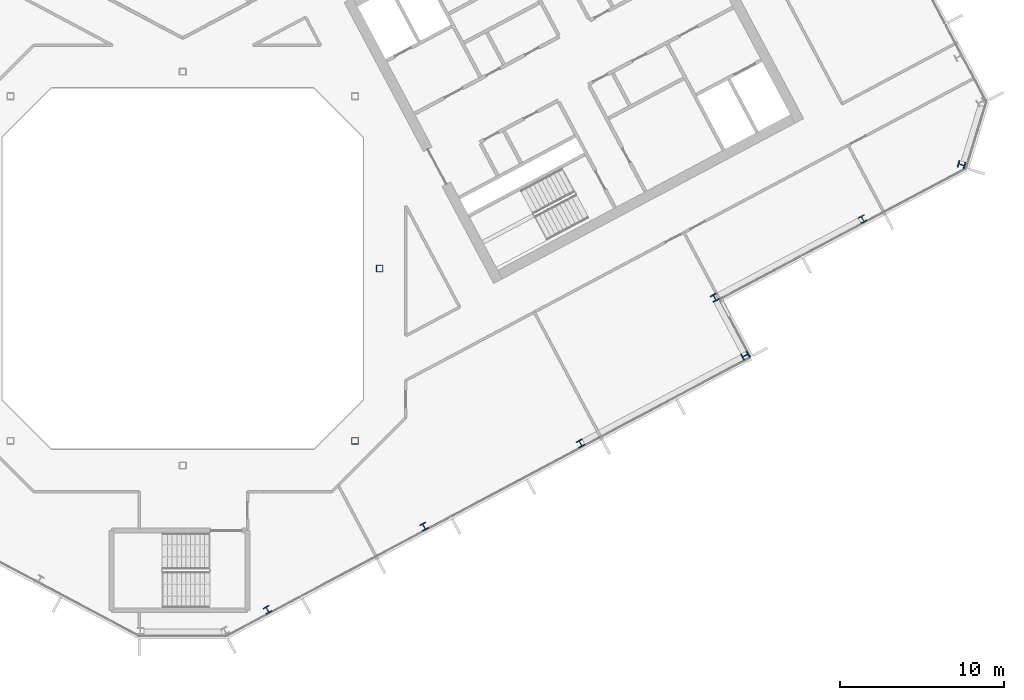
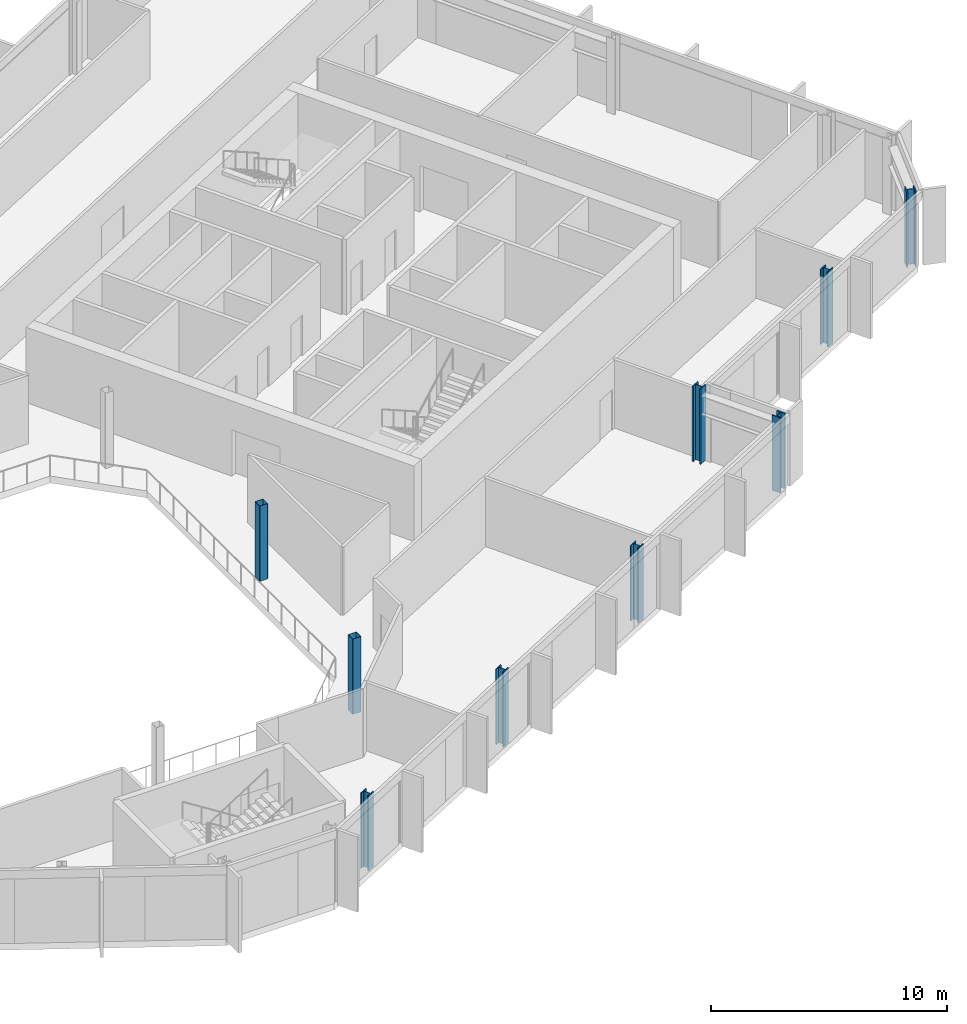
# One storey, part 5 of 26: 9 columns.
"""IFC4 building model written with IfcOpenShell, lengths in metres."""

import ifcopenshell
import ifcopenshell.guid

model = None  # the IFC model being written
_history = None  # IfcOwnerHistory: only IFC2X3 demands one
_inside = {}  # id of a spatial element -> (the spatial element, [elements in it])
_under = {}  # id of a project, library or spatial element -> (it, [spatial elements below it])
_declared = {}  # id of a project -> (the project, [libraries it declares])
_typed = {}  # id of a type object -> (the type object, [elements of that type])
_made_of = {}  # id of a material, layer set ... -> (it, [elements and type objects made of it])


def new_model(schema):
    """Start an empty IFC model of exactly this schema.

    Asked for "IFC4X3", IfcOpenShell would pick the latest addendum, in which some entities
    have other attributes; the version numbers below select the first issue.
    IFC2X3 requires an IfcOwnerHistory on every rooted entity: one is made here for all.
    """
    global model, _history
    if schema == "IFC4X3":
        model = ifcopenshell.file(schema_version=(4, 3, 0, 0))
    else:
        model = ifcopenshell.file(schema=schema)
    _inside.clear()
    _under.clear()
    _declared.clear()
    _typed.clear()
    _made_of.clear()
    _history = None
    if model.schema == "IFC2X3":
        org = make("IfcOrganization", Name="unknown")
        user = make(
            "IfcPersonAndOrganization",
            ThePerson=make("IfcPerson", FamilyName="unknown"),
            TheOrganization=org,
        )
        app = make(
            "IfcApplication",
            ApplicationDeveloper=org,
            Version="unknown",
            ApplicationFullName="unknown",
            ApplicationIdentifier="unknown",
        )
        _history = make(
            "IfcOwnerHistory",
            OwningUser=user,
            OwningApplication=app,
            ChangeAction="ADDED",
            CreationDate=0,
        )
    return model


def make(cls, **values):
    """One entity of the class cls with the attributes given. An attribute that is None is left unset."""
    return model.create_entity(
        cls, **{name: value for name, value in values.items() if value is not None}
    )


def rooted(cls, **values):
    """An entity with a GlobalId (a new one), such as an element, a storey or a relation."""
    return make(cls, GlobalId=ifcopenshell.guid.new(), OwnerHistory=_history, **values)


def si_unit(unit_type, name, prefix=None):
    """IfcSIUnit, for example si_unit("LENGTHUNIT", "METRE", prefix="MILLI")."""
    return make("IfcSIUnit", UnitType=unit_type, Prefix=prefix, Name=name)


def assignment(units):
    """IfcUnitAssignment: the units of a project."""
    return None if units is None else make("IfcUnitAssignment", Units=units)


def point(xyz):
    """IfcCartesianPoint."""
    return None if xyz is None else make("IfcCartesianPoint", Coordinates=xyz)


def direction(xyz):
    """IfcDirection."""
    return None if xyz is None else make("IfcDirection", DirectionRatios=xyz)


def frame(location, z_axis=None, x_axis=None):
    """IfcAxis2Placement3D, a coordinate frame: its origin and axes. An axis left out is left unset."""
    return make(
        "IfcAxis2Placement3D",
        Location=point(location),
        Axis=direction(z_axis),
        RefDirection=direction(x_axis),
    )


def frame_2d(location, x_axis=None):
    """IfcAxis2Placement2D, a coordinate frame in the plane: its origin and x axis."""
    return make(
        "IfcAxis2Placement2D", Location=point(location), RefDirection=direction(x_axis)
    )


def origin():
    """The frame at (0, 0, 0) with its axes left unset."""
    return frame((0.0, 0.0, 0.0))


def origin_2d():
    """The frame at (0, 0) in the plane with its x axis left unset."""
    return frame_2d((0.0, 0.0))


def place(relative_to, where):
    """IfcLocalPlacement: puts the frame where relative to a parent placement (None: the world)."""
    return make(
        "IfcLocalPlacement", PlacementRelTo=relative_to, RelativePlacement=where
    )


def context(
    kind, dimensions, precision=None, world=None, true_north=None, identifier=None
):
    """IfcGeometricRepresentationContext, for example the 3D "Model" context."""
    return make(
        "IfcGeometricRepresentationContext",
        ContextIdentifier=identifier,
        ContextType=kind,
        CoordinateSpaceDimension=dimensions,
        Precision=precision,
        WorldCoordinateSystem=world,
        TrueNorth=true_north,
    )


def subcontext(parent, identifier, kind, view, scale=None):
    """IfcGeometricRepresentationSubContext, for example "Body" below "Model"."""
    return make(
        "IfcGeometricRepresentationSubContext",
        ContextIdentifier=identifier,
        ContextType=kind,
        ParentContext=parent,
        TargetScale=scale,
        TargetView=view,
    )


def project(units=None, contexts=None):
    """IfcProject with its units and contexts."""
    return rooted(
        "IfcProject",
        Name="project",
        RepresentationContexts=contexts,
        UnitsInContext=assignment(units),
    )


def spatial(cls, under=None, at=None, **own):
    """A site, building, storey or space (cls), placed at a placement, below another one or the project."""
    s = rooted(cls, ObjectPlacement=at, **own)
    if under is not None:
        _under.setdefault(under.id(), (under, []))[1].append(s)
    return s


def profile(cls, at=None, kind="AREA", **sizes):
    """A parametric profile (cls). Its sizes go by their IFC names, for example OverallWidth=200.0."""
    return make(cls, ProfileType=kind, Position=at, **sizes)


def hollow_rectangle(**sizes):
    """IfcRectangleHollowProfileDef."""
    return profile("IfcRectangleHollowProfileDef", **sizes)


def i_section(**sizes):
    """IfcIShapeProfileDef."""
    return profile("IfcIShapeProfileDef", **sizes)


def extrude(swept, where, along, depth):
    """IfcExtrudedAreaSolid: the profile swept, set in the frame where, extruded along a direction by depth."""
    return make(
        "IfcExtrudedAreaSolid",
        SweptArea=swept,
        Position=where,
        ExtrudedDirection=direction(along),
        Depth=depth,
    )


def shape(context_of_items, identifier, shape_type, items):
    """IfcShapeRepresentation: the items that make up one representation, for example the "Body"."""
    return make(
        "IfcShapeRepresentation",
        ContextOfItems=context_of_items,
        RepresentationIdentifier=identifier,
        RepresentationType=shape_type,
        Items=items,
    )


def material(Name=None, Category=None):
    """IfcMaterial."""
    return make("IfcMaterial", Name=Name, Category=Category)


def material_profile(
    of_material, cross_section, Name=None, Category=None, Priority=None
):
    """IfcMaterialProfile: a cross section and its material."""
    return make(
        "IfcMaterialProfile",
        Name=Name,
        Material=of_material,
        Profile=cross_section,
        Priority=Priority,
        Category=Category,
    )


def profile_set(profiles, Name=None, composite=None):
    """IfcMaterialProfileSet."""
    return make(
        "IfcMaterialProfileSet",
        Name=Name,
        MaterialProfiles=profiles,
        CompositeProfile=composite,
    )


def made_of(thing, what):
    """Note that an element or type object is made of a material, layer set ...; save() writes the relation."""
    if what is not None:
        _made_of.setdefault(what.id(), (what, []))[1].append(thing)
    return thing


def type_object(cls, material=None, **own):
    """A type object (cls), such as IfcWallType, which elements share."""
    return made_of(rooted(cls, **own), material)


def element(
    cls,
    number,
    at=None,
    inside=None,
    cuts=None,
    type_object=None,
    material=None,
    context=None,
    identifier="Body",
    shape_type=None,
    held_by="IfcProductDefinitionShape",
    body=None,
    shapes=None,
    **own,
):
    """One element of the class cls, such as IfcWall. Its Tag is "e" and its number.

    at: its placement. inside: the storey or other place that contains it. cuts: it is an
    opening in that element (IfcRelVoidsElement). A single representation is given by context,
    identifier, shape_type and body (its items); several are given by shapes. held_by: the class
    of the entity that holds the representations. save() writes the other relations.
    """
    e = rooted(cls, Tag="e%d" % number, ObjectPlacement=at, **own)
    if body is not None:
        shapes = [shape(context, identifier, shape_type, body)]
    if shapes is not None:
        e.Representation = make(held_by, Representations=shapes)
    if inside is not None:
        _inside.setdefault(inside.id(), (inside, []))[1].append(e)
    if cuts is not None:
        rooted(
            "IfcRelVoidsElement", RelatingBuildingElement=cuts, RelatedOpeningElement=e
        )
    if type_object is not None:
        _typed.setdefault(type_object.id(), (type_object, []))[1].append(e)
    return made_of(e, material)


def aggregate(whole, parts):
    """IfcRelAggregates: a whole, such as a stair, and the parts it consists of."""
    return rooted("IfcRelAggregates", RelatingObject=whole, RelatedObjects=parts)


def save(model, path):
    """Write the relations noted so far, then the file.

    IfcRelAggregates (storeys below a building ...), IfcRelContainedInSpatialStructure (elements
    in a storey), IfcRelDefinesByType, IfcRelAssociatesMaterial and IfcRelDeclares: one each for
    every whole, place, type object, material and project.
    """
    for whole, parts in _under.values():
        aggregate(whole, parts)
    for where, things in _inside.values():
        rooted(
            "IfcRelContainedInSpatialStructure",
            RelatedElements=things,
            RelatingStructure=where,
        )
    for kind, things in _typed.values():
        rooted("IfcRelDefinesByType", RelatedObjects=things, RelatingType=kind)
    for what, things in _made_of.values():
        rooted("IfcRelAssociatesMaterial", RelatedObjects=things, RelatingMaterial=what)
    for by, libraries in _declared.values():
        rooted("IfcRelDeclares", RelatingContext=by, RelatedDefinitions=libraries)
    model.write(path)


model = new_model("IFC4")

# Units and contexts
model_context = context("Model", 3, precision=1e-05, world=origin(), true_north=direction((0.0, 1.0)))
body_context = subcontext(model_context, "Body", "Model", "MODEL_VIEW")
ifc_project = project(units=[si_unit("LENGTHUNIT", "METRE"), si_unit("AREAUNIT", "SQUARE_METRE"), si_unit("VOLUMEUNIT", "CUBIC_METRE"), si_unit("PLANEANGLEUNIT", "RADIAN"), si_unit("MASSUNIT", "GRAM", prefix="KILO")], contexts=[model_context])

# Site, building, storey
site_placement = place(None, origin())
site = spatial("IfcSite", under=ifc_project, at=site_placement, CompositionType="ELEMENT")
building_placement = place(site_placement, origin())
building = spatial("IfcBuilding", under=site, at=building_placement, Name="Cormorant Relay Tower", CompositionType="ELEMENT")
storey_placement = place(building_placement, frame((0.0, 0.0, 244.199951171875)))
storey = spatial("IfcBuildingStorey", under=building, at=storey_placement, Name="L54", CompositionType="ELEMENT", Elevation=244.199951171875)

# Columns
ifc_material_1 = material(Name="Steel ASTM A500 Grade C (Fy 345 MPa)", Category="steel")
ifc_material_profile_1 = material_profile(ifc_material_1, hollow_rectangle(XDim=0.406494140625, YDim=0.406494140625, WallThickness=0.0146484375, InnerFilletRadius=0.00732421875, OuterFilletRadius=0.022216796875, at=origin_2d()), Name="HSS406x406x15")
ifc_profile_set_1 = profile_set([ifc_material_profile_1], Name="Steel ASTM A500 Grade C (Fy 345 MPa)")
column_type_1 = type_object("IfcColumnType", Name="Column HSS406x406x15", PredefinedType="COLUMN", material=ifc_profile_set_1)
for number, where, z_axis, x_axis, name in (
    (1, (10.5, -10.5, 0.0), (0.0, 0.0, 1.0), (1.0, 0.0, 0.0), "Column L54-010"),
    (2, (12.0, 0.0, 0.0), (0.0, 0.0, 1.0), (1.0, 0.0, 0.0), "Column L54-016"),
):
    element("IfcColumn", number, at=place(storey_placement, frame(where, z_axis=z_axis, x_axis=x_axis)), inside=storey, type_object=column_type_1, Name=name, PredefinedType="COLUMN", context=body_context, shape_type="SweptSolid", body=[
        extrude(hollow_rectangle(XDim=0.406494140625, YDim=0.406494140625, WallThickness=0.0146484375, InnerFilletRadius=0.00732421875, OuterFilletRadius=0.022216796875, at=origin_2d()), origin(), (0.0, 0.0, 1.0), 3.900146484375),
    ])
ifc_material_2 = material(Name="Steel ASTM A992 (Fy 345 MPa)", Category="steel")
ifc_material_profile_2 = material_profile(ifc_material_2, i_section(OverallWidth=0.40380859375, OverallDepth=0.406494140625, WebThickness=0.027099609375, FlangeThickness=0.043701171875, FilletRadius=0.01513671875, at=origin_2d()), Name="W360x347")
ifc_profile_set_2 = profile_set([ifc_material_profile_2], Name="Steel ASTM A992 (Fy 345 MPa)")
column_type_2 = type_object("IfcColumnType", Name="Column W360x347", PredefinedType="COLUMN", material=ifc_profile_set_2)
for number, where, z_axis, x_axis, name in (
    (3, (5.1689453125, -20.798095703125, 0.0), (0.0, 0.0, 1.0), (0.882947592859, 0.469471562786, 0.0), "Column L54-003"),
    (4, (14.705078125, -15.72705078125, 0.0), (0.0, 0.0, 1.0), (0.882947592859, 0.469471562786, 0.0), "Column L54-005"),
    (5, (24.240966796875, -10.656982421875, 0.0), (0.0, 0.0, 1.0), (0.882947592859, 0.469471562786, 0.0), "Column L54-008"),
    (6, (41.43408203125, 3.014892578125, 0.0), (0.0, 0.0, 1.0), (0.882947592859, 0.469471562786, 0.0), "Column L54-019"),
):
    element("IfcColumn", number, at=place(storey_placement, frame(where, z_axis=z_axis, x_axis=x_axis)), inside=storey, type_object=column_type_2, Name=name, PredefinedType="COLUMN", context=body_context, shape_type="SweptSolid", body=[
        extrude(i_section(OverallWidth=0.40380859375, OverallDepth=0.406494140625, WebThickness=0.027099609375, FlangeThickness=0.043701171875, FilletRadius=0.01513671875, at=origin_2d()), origin(), (0.0, 0.0, 1.0), 3.900146484375),
    ])
ifc_material_3 = material(Name="Steel ASTM A992 (Fy 345 MPa)", Category="steel")
ifc_material_profile_3 = material_profile(ifc_material_3, i_section(OverallWidth=0.41162109375, OverallDepth=0.434326171875, WebThickness=0.035888671875, FlangeThickness=0.057373046875, FilletRadius=0.01513671875, at=origin_2d()), Name="W360x463")
ifc_profile_set_3 = profile_set([ifc_material_profile_3], Name="Steel ASTM A992 (Fy 345 MPa)")
column_type_3 = type_object("IfcColumnType", Name="Column W360x463", PredefinedType="COLUMN", material=ifc_profile_set_3)
for number, where, z_axis, x_axis, name in (
    (7, (34.284912109375, -5.305908203125, 0.0), (0.0, 0.0, 1.0), (-0.469471562786, 0.882947592859, 0.0), "Column L54-012"),
    (8, (32.4169921875, -1.777099609375, 0.0), (0.0, 0.0, 1.0), (0.882947592859, 0.469471562786, 0.0), "Column L54-014"),
    (9, (47.458984375, 6.325927734375, 0.0), (0.0, 0.0, 1.0), (0.292371704723, 0.956304755963, 0.0), "Column L54-020"),
):
    element("IfcColumn", number, at=place(storey_placement, frame(where, z_axis=z_axis, x_axis=x_axis)), inside=storey, type_object=column_type_3, Name=name, PredefinedType="COLUMN", context=body_context, shape_type="SweptSolid", body=[
        extrude(i_section(OverallWidth=0.41162109375, OverallDepth=0.434326171875, WebThickness=0.035888671875, FlangeThickness=0.057373046875, FilletRadius=0.01513671875, at=origin_2d()), origin(), (0.0, 0.0, 1.0), 3.900146484375),
    ])

save(model, "model.ifc")
